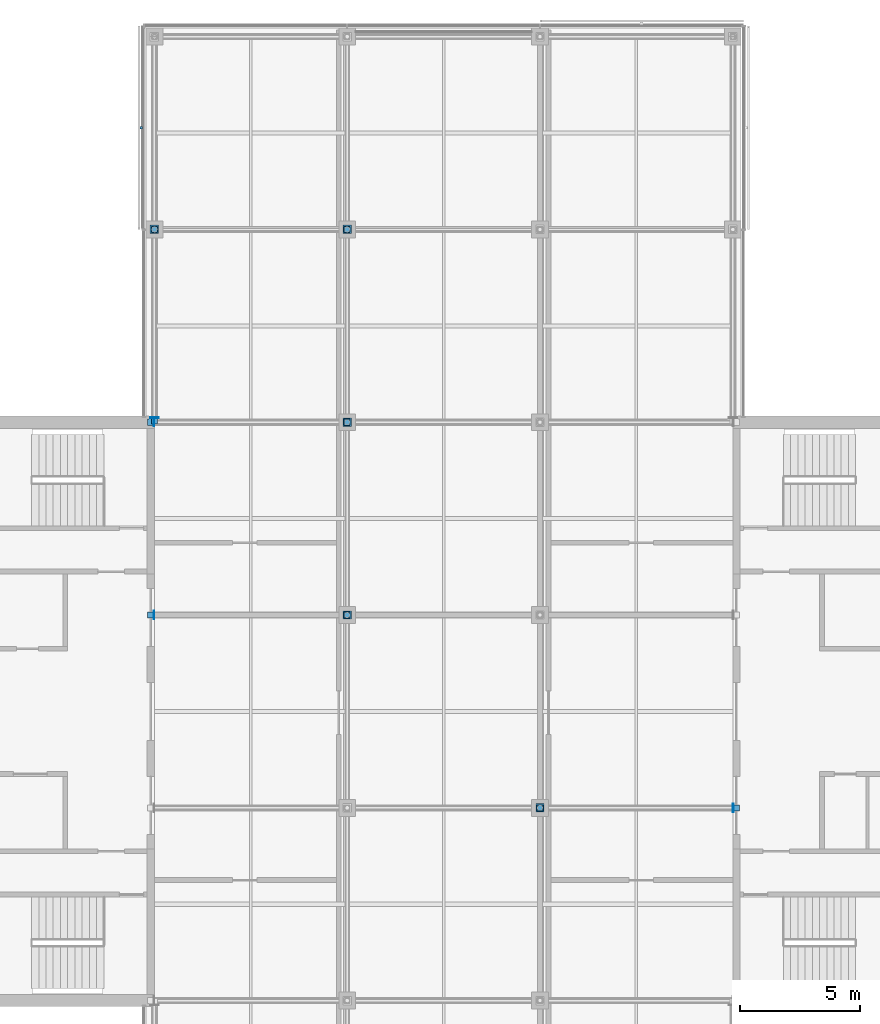
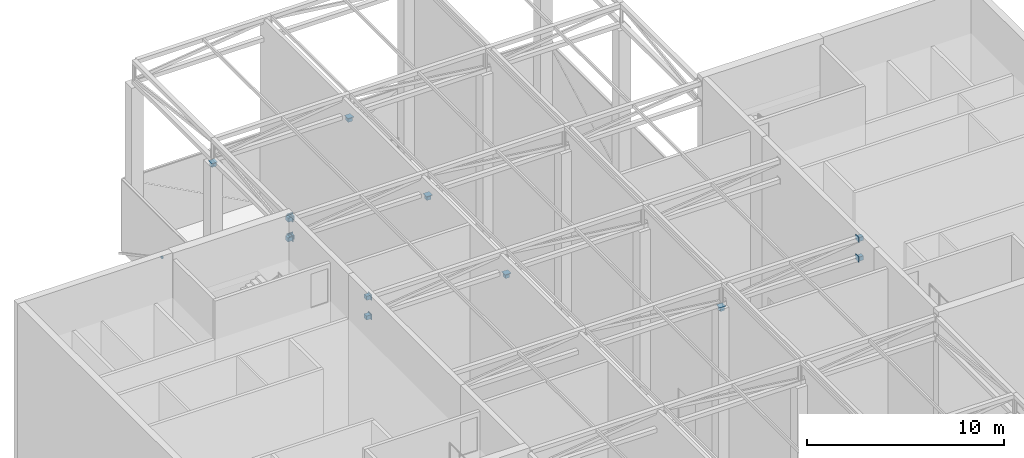
# One storey, part 18 of 23: 27 discrete accessories.
"""IFC4 building model written with IfcOpenShell, lengths in metres."""

from ifc_helpers import new_model, si_unit, direction, frame, origin, origin_2d, place, context, subcontext, project, spatial, rectangle, extrude, material, layer, layer_set, type_object, element, save


model = new_model("IFC4")

# Units and contexts
model_context = context("Model", 3, precision=1e-05, world=origin(), true_north=direction((0.0, 1.0)))
body_context = subcontext(model_context, "Body", "Model", "MODEL_VIEW")
ifc_project = project(units=[si_unit("LENGTHUNIT", "METRE"), si_unit("AREAUNIT", "SQUARE_METRE"), si_unit("VOLUMEUNIT", "CUBIC_METRE"), si_unit("PLANEANGLEUNIT", "RADIAN"), si_unit("MASSUNIT", "GRAM", prefix="KILO")], contexts=[model_context])

# Site, building, storey
site_placement = place(None, origin())
site = spatial("IfcSite", under=ifc_project, at=site_placement, CompositionType="ELEMENT")
building_placement = place(site_placement, origin())
building = spatial("IfcBuilding", under=site, at=building_placement, Name="Crosswind Convention Tower", CompositionType="ELEMENT")
storey_placement = place(building_placement, frame((0.0, 0.0, 349.10009765625)))
storey = spatial("IfcBuildingStorey", under=building, at=storey_placement, Name="L76", CompositionType="ELEMENT", Elevation=349.10009765625)

# Discrete accessories
ifc_material_1 = material(Name="Stainless steel", Category="steel")
discrete_accessory_type_1 = type_object("IfcDiscreteAccessoryType", Name="BAGUETTE BRACKET BK5", PredefinedType="BRACKET", material=ifc_material_1)
discrete_accessory_placement = place(storey_placement, frame((112.447998046875, 124.219970703125, 1.8349609375), z_axis=(0.0, 0.0, 1.0), x_axis=(0.0, -1.0, 0.0)))
element("IfcDiscreteAccessory", 1, at=discrete_accessory_placement, inside=storey, type_object=discrete_accessory_type_1, Name="BK5 baguette bracket", PredefinedType="BRACKET", context=body_context, shape_type="SweptSolid", body=[
    extrude(rectangle(XDim=0.1201171875, YDim=0.10009765625, at=origin_2d()), origin(), (0.0, 0.0, 1.0), 0.1201171875),
])
ifc_material_2 = material(Name="Steel S355", Category="steel")
ifc_layer = layer(ifc_material_2, 0.030029296875)
ifc_layer_set = layer_set([ifc_layer], Name="Steel S355")
discrete_accessory_type_2 = type_object("IfcDiscreteAccessoryType", Name="Cast-in plate 350 x 350 x 30", PredefinedType="ANCHORPLATE", material=ifc_layer_set)
for number, where, z_axis, x_axis, name in (
    (2, (137.014892578125, 96.0, 10.179931640625), (0.0, 0.0, 1.0), (1.0, 0.0, 0.0), "EP5 L76 cast-in plate"),
    (3, (137.014892578125, 96.0, 11.39990234375), (0.0, 0.0, 1.0), (1.0, 0.0, 0.0), "EP5 L76 cast-in plate"),
    (4, (112.985107421875, 104.0, 10.179931640625), (0.0, 0.0, 1.0), (1.0, 0.0, 0.0), "EP5 L76 cast-in plate"),
    (5, (112.985107421875, 104.0, 11.39990234375), (0.0, 0.0, 1.0), (1.0, 0.0, 0.0), "EP5 L76 cast-in plate"),
    (6, (112.985107421875, 112.0, 10.179931640625), (0.0, 0.0, 1.0), (1.0, 0.0, 0.0), "EP5 L76 cast-in plate"),
    (7, (112.985107421875, 112.0, 11.39990234375), (0.0, 0.0, 1.0), (1.0, 0.0, 0.0), "EP5 L76 cast-in plate"),
):
    element("IfcDiscreteAccessory", number, at=place(storey_placement, frame(where, z_axis=z_axis, x_axis=x_axis)), inside=storey, type_object=discrete_accessory_type_2, Name=name, PredefinedType="ANCHORPLATE", context=body_context, shape_type="SweptSolid", body=[
        extrude(rectangle(XDim=0.030029296875, YDim=0.35009765625, at=origin_2d()), origin(), (0.0, 0.0, 1.0), 0.35009765625),
    ])
for number, where, z_axis, x_axis, name in (
    (8, (113.0, 112.18505859375, 10.179931640625), (0.0, 0.0, 1.0), (1.0, 0.0, 0.0), "EP5 L76 cast-in plate"),
    (9, (113.0, 112.18505859375, 11.39990234375), (0.0, 0.0, 1.0), (1.0, 0.0, 0.0), "EP5 L76 cast-in plate"),
):
    element("IfcDiscreteAccessory", number, at=place(storey_placement, frame(where, z_axis=z_axis, x_axis=x_axis)), inside=storey, type_object=discrete_accessory_type_2, Name=name, PredefinedType="ANCHORPLATE", context=body_context, shape_type="SweptSolid", body=[
        extrude(rectangle(XDim=0.35009765625, YDim=0.030029296875, at=origin_2d()), origin(), (0.0, 0.0, 1.0), 0.35009765625),
    ])
for number, where, z_axis, x_axis, name in (
    (10, (113.0, 120.0, 10.19970703125), (0.0, 0.0, 1.0), (1.0, 0.0, 0.0), "EP5 L76 cast-in plate on column head"),
    (11, (121.0, 104.0, 10.19970703125), (0.0, 0.0, 1.0), (1.0, 0.0, 0.0), "EP5 L76 cast-in plate on column head"),
    (12, (121.0, 112.0, 10.19970703125), (0.0, 0.0, 1.0), (1.0, 0.0, 0.0), "EP5 L76 cast-in plate on column head"),
    (13, (121.0, 120.0, 10.19970703125), (0.0, 0.0, 1.0), (1.0, 0.0, 0.0), "EP5 L76 cast-in plate on column head"),
    (14, (129.0, 96.0, 10.19970703125), (0.0, 0.0, 1.0), (1.0, 0.0, 0.0), "EP5 L76 cast-in plate on column head"),
):
    element("IfcDiscreteAccessory", number, at=place(storey_placement, frame(where, z_axis=z_axis, x_axis=x_axis)), inside=storey, type_object=discrete_accessory_type_2, Name=name, PredefinedType="ANCHORPLATE", context=body_context, shape_type="SweptSolid", body=[
        extrude(rectangle(XDim=0.35009765625, YDim=0.35009765625, at=origin_2d()), origin(), (0.0, 0.0, 1.0), 0.030029296875),
    ])
discrete_accessory_type_3 = type_object("IfcDiscreteAccessoryType", Name="Headed stud group 250 x 250 x 250", PredefinedType="USERDEFINED", material=ifc_material_2)
for number, where, z_axis, x_axis, name in (
    (15, (137.155029296875, 96.0, 10.22998046875), (0.0, 0.0, 1.0), (1.0, 0.0, 0.0), "AB5 L76 headed stud group"),
    (16, (137.155029296875, 96.0, 11.449951171875), (0.0, 0.0, 1.0), (1.0, 0.0, 0.0), "AB5 L76 headed stud group"),
    (17, (112.844970703125, 104.0, 10.22998046875), (0.0, 0.0, 1.0), (1.0, 0.0, 0.0), "AB5 L76 headed stud group"),
    (18, (112.844970703125, 104.0, 11.449951171875), (0.0, 0.0, 1.0), (1.0, 0.0, 0.0), "AB5 L76 headed stud group"),
    (19, (112.844970703125, 112.0, 10.22998046875), (0.0, 0.0, 1.0), (1.0, 0.0, 0.0), "AB5 L76 headed stud group"),
    (20, (112.844970703125, 112.0, 11.449951171875), (0.0, 0.0, 1.0), (1.0, 0.0, 0.0), "AB5 L76 headed stud group"),
    (21, (113.0, 112.044921875, 10.22998046875), (0.0, 0.0, 1.0), (1.0, 0.0, 0.0), "AB5 L76 headed stud group"),
    (22, (113.0, 112.044921875, 11.449951171875), (0.0, 0.0, 1.0), (1.0, 0.0, 0.0), "AB5 L76 headed stud group"),
    (23, (113.0, 120.0, 9.949951171875), (0.0, 0.0, 1.0), (1.0, 0.0, 0.0), "AB5 L76 headed stud group in column head"),
    (24, (121.0, 104.0, 9.949951171875), (0.0, 0.0, 1.0), (1.0, 0.0, 0.0), "AB5 L76 headed stud group in column head"),
    (25, (121.0, 112.0, 9.949951171875), (0.0, 0.0, 1.0), (1.0, 0.0, 0.0), "AB5 L76 headed stud group in column head"),
    (26, (121.0, 120.0, 9.949951171875), (0.0, 0.0, 1.0), (1.0, 0.0, 0.0), "AB5 L76 headed stud group in column head"),
    (27, (129.0, 96.0, 9.949951171875), (0.0, 0.0, 1.0), (1.0, 0.0, 0.0), "AB5 L76 headed stud group in column head"),
):
    element("IfcDiscreteAccessory", number, at=place(storey_placement, frame(where, z_axis=z_axis, x_axis=x_axis)), inside=storey, type_object=discrete_accessory_type_3, Name=name, ObjectType="HEADED STUD GROUP", PredefinedType="USERDEFINED", context=body_context, shape_type="SweptSolid", body=[
        extrude(rectangle(XDim=0.25, YDim=0.25, at=origin_2d()), origin(), (0.0, 0.0, 1.0), 0.25),
    ])

save(model, "model.ifc")
